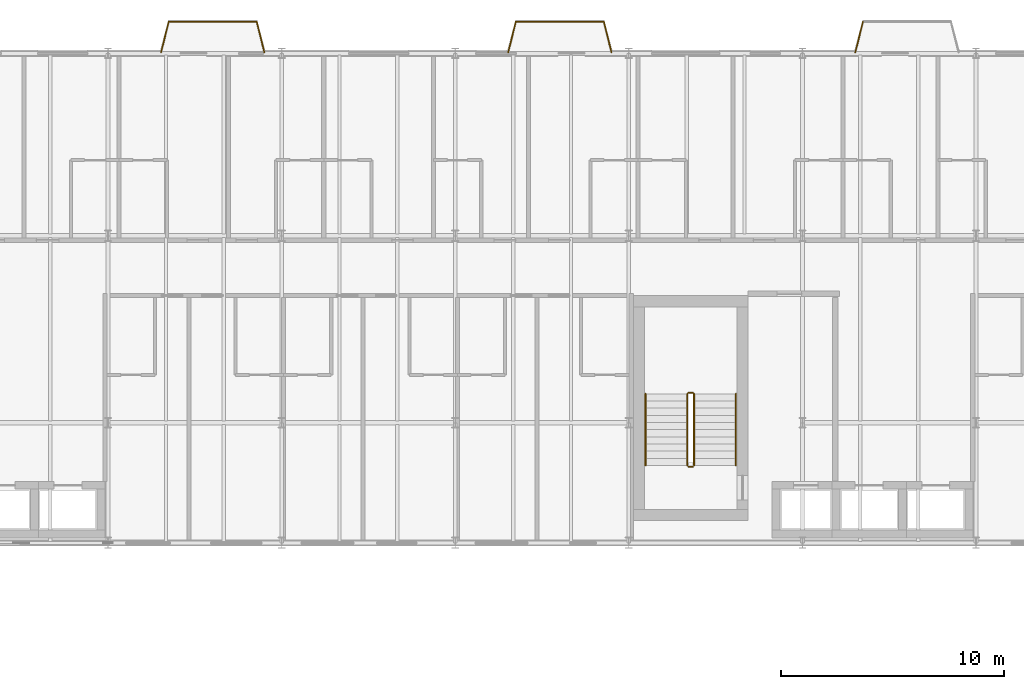
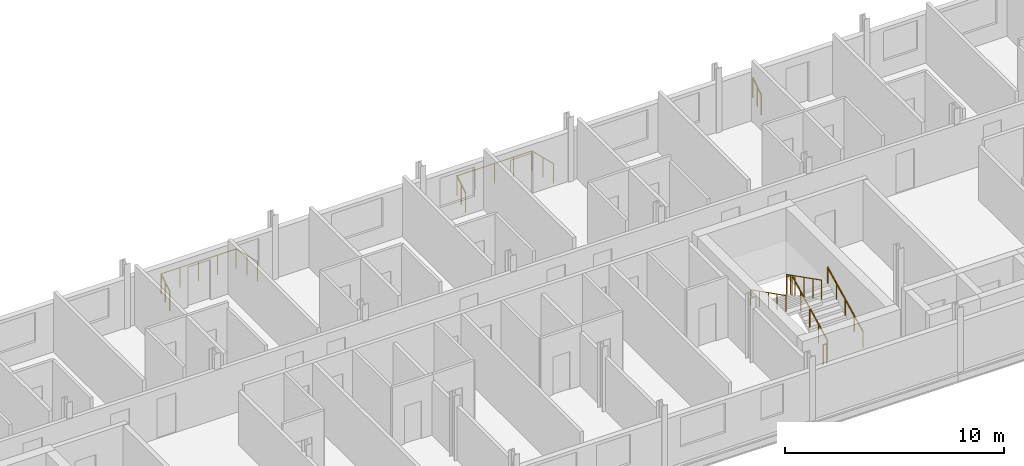
# One storey, part 33 of 34: 13 railings.
"""IFC4 building model written with IfcOpenShell, lengths in metres."""

from ifc_helpers import new_model, si_unit, direction, frame, origin, origin_2d, place, context, subcontext, project, spatial, circle, extrude, material, type_object, element, save


model = new_model("IFC4")

# Units and contexts
model_context = context("Model", 3, precision=1e-05, world=origin(), true_north=direction((0.0, 1.0)))
body_context = subcontext(model_context, "Body", "Model", "MODEL_VIEW")
ifc_project = project(units=[si_unit("LENGTHUNIT", "METRE"), si_unit("AREAUNIT", "SQUARE_METRE"), si_unit("VOLUMEUNIT", "CUBIC_METRE"), si_unit("PLANEANGLEUNIT", "RADIAN"), si_unit("MASSUNIT", "GRAM", prefix="KILO")], contexts=[model_context])

# Site, building, storey
site_placement = place(None, origin())
site = spatial("IfcSite", under=ifc_project, at=site_placement, CompositionType="ELEMENT")
building_placement = place(site_placement, origin())
building = spatial("IfcBuilding", under=site, at=building_placement, Name="Sefraquen Railside Congress Hotel", CompositionType="ELEMENT")
storey_placement = place(building_placement, frame((0.0, 0.0, 31.800048828125)))
storey = spatial("IfcBuildingStorey", under=building, at=storey_placement, Name="L07", CompositionType="ELEMENT", Elevation=31.800048828125)

# Railings
ifc_material = material(Name="Patinated wrought architectural bronze", Category="metal")
railing_type_1 = type_object("IfcRailingType", Name="TRL-BAL-110", PredefinedType="BALUSTRADE", material=ifc_material)
railing_1_placement = place(storey_placement, frame((43.179931640625, 118.050048828125, 0.0)))
element("IfcRailing", 1, at=railing_1_placement, inside=storey, type_object=railing_type_1, Name="Guest balcony Art Nouveau balustrade L07-02", PredefinedType="BALUSTRADE", context=body_context, shape_type="SweptSolid", body=[
    extrude(circle(Radius=0.02392578125, at=origin_2d()), frame((0.0, 0.0, 1.09619140625), z_axis=(0.240948040829, 0.970538016577, 0.0), x_axis=(-0.970538016577, 0.240948040829, 0.0)), (0.0, 0.0, 1.0), 1.411376953125),
    extrude(circle(Radius=0.02099609375, at=origin_2d()), origin(), (0.0, 0.0, 1.0), 1.072021484375),
    extrude(circle(Radius=0.02099609375, at=origin_2d()), frame((0.169921875, 0.68505859375, 0.0)), (0.0, 0.0, 1.0), 1.072021484375),
    extrude(circle(Radius=0.02099609375, at=origin_2d()), frame((0.340087890625, 1.369873046875, 0.0)), (0.0, 0.0, 1.0), 1.072021484375),
])
railing_2_placement = place(storey_placement, frame((43.52001953125, 119.419921875, 0.0)))
element("IfcRailing", 2, at=railing_2_placement, inside=storey, type_object=railing_type_1, Name="Guest balcony Art Nouveau balustrade L07-02", PredefinedType="BALUSTRADE", context=body_context, shape_type="SweptSolid", body=[
    extrude(circle(Radius=0.02392578125, at=origin_2d()), frame((0.0, 0.0, 1.09619140625), z_axis=(1.0, 0.0, 0.0), x_axis=(0.0, 1.0, 0.0)), (0.0, 0.0, 1.0), 3.9599609375),
    extrude(circle(Radius=0.02099609375, at=origin_2d()), origin(), (0.0, 0.0, 1.0), 1.072021484375),
    extrude(circle(Radius=0.02099609375, at=origin_2d()), frame((0.989990234375, 0.0, 0.0)), (0.0, 0.0, 1.0), 1.072021484375),
    extrude(circle(Radius=0.02099609375, at=origin_2d()), frame((1.97998046875, 0.0, 0.0)), (0.0, 0.0, 1.0), 1.072021484375),
    extrude(circle(Radius=0.02099609375, at=origin_2d()), frame((2.969970703125, 0.0, 0.0)), (0.0, 0.0, 1.0), 1.072021484375),
    extrude(circle(Radius=0.02099609375, at=origin_2d()), frame((3.9599609375, 0.0, 0.0)), (0.0, 0.0, 1.0), 1.072021484375),
])
railing_3_placement = place(storey_placement, frame((47.47998046875, 119.419921875, 0.0)))
element("IfcRailing", 3, at=railing_3_placement, inside=storey, type_object=railing_type_1, Name="Guest balcony Art Nouveau balustrade L07-02", PredefinedType="BALUSTRADE", context=body_context, shape_type="SweptSolid", body=[
    extrude(circle(Radius=0.02392578125, at=origin_2d()), frame((0.0, 0.0, 1.09619140625), z_axis=(0.240948040829, -0.970538016577, 0.0), x_axis=(0.970538016577, 0.240948040829, 0.0)), (0.0, 0.0, 1.0), 1.411376953125),
    extrude(circle(Radius=0.02099609375, at=origin_2d()), origin(), (0.0, 0.0, 1.0), 1.072021484375),
    extrude(circle(Radius=0.02099609375, at=origin_2d()), frame((0.169921875, -0.68505859375, 0.0)), (0.0, 0.0, 1.0), 1.072021484375),
    extrude(circle(Radius=0.02099609375, at=origin_2d()), frame((0.340087890625, -1.369873046875, 0.0)), (0.0, 0.0, 1.0), 1.072021484375),
])
railing_4_placement = place(storey_placement, frame((58.780029296875, 118.050048828125, 0.0)))
element("IfcRailing", 4, at=railing_4_placement, inside=storey, type_object=railing_type_1, Name="Guest balcony Art Nouveau balustrade L07-03", PredefinedType="BALUSTRADE", context=body_context, shape_type="SweptSolid", body=[
    extrude(circle(Radius=0.02392578125, at=origin_2d()), frame((0.0, 0.0, 1.09619140625), z_axis=(0.240948040829, 0.970538016577, 0.0), x_axis=(-0.970538016577, 0.240948040829, 0.0)), (0.0, 0.0, 1.0), 1.411376953125),
    extrude(circle(Radius=0.02099609375, at=origin_2d()), origin(), (0.0, 0.0, 1.0), 1.072021484375),
    extrude(circle(Radius=0.02099609375, at=origin_2d()), frame((0.169921875, 0.68505859375, 0.0)), (0.0, 0.0, 1.0), 1.072021484375),
    extrude(circle(Radius=0.02099609375, at=origin_2d()), frame((0.340087890625, 1.369873046875, 0.0)), (0.0, 0.0, 1.0), 1.072021484375),
])
railing_5_placement = place(storey_placement, frame((59.1201171875, 119.419921875, 0.0)))
element("IfcRailing", 5, at=railing_5_placement, inside=storey, type_object=railing_type_1, Name="Guest balcony Art Nouveau balustrade L07-03", PredefinedType="BALUSTRADE", context=body_context, shape_type="SweptSolid", body=[
    extrude(circle(Radius=0.02392578125, at=origin_2d()), frame((0.0, 0.0, 1.09619140625), z_axis=(1.0, 0.0, 0.0), x_axis=(0.0, 1.0, 0.0)), (0.0, 0.0, 1.0), 3.9599609375),
    extrude(circle(Radius=0.02099609375, at=origin_2d()), origin(), (0.0, 0.0, 1.0), 1.072021484375),
    extrude(circle(Radius=0.02099609375, at=origin_2d()), frame((0.989990234375, 0.0, 0.0)), (0.0, 0.0, 1.0), 1.072021484375),
    extrude(circle(Radius=0.02099609375, at=origin_2d()), frame((1.97998046875, 0.0, 0.0)), (0.0, 0.0, 1.0), 1.072021484375),
    extrude(circle(Radius=0.02099609375, at=origin_2d()), frame((2.969970703125, 0.0, 0.0)), (0.0, 0.0, 1.0), 1.072021484375),
    extrude(circle(Radius=0.02099609375, at=origin_2d()), frame((3.9599609375, 0.0, 0.0)), (0.0, 0.0, 1.0), 1.072021484375),
])
railing_6_placement = place(storey_placement, frame((63.080078125, 119.419921875, 0.0)))
element("IfcRailing", 6, at=railing_6_placement, inside=storey, type_object=railing_type_1, Name="Guest balcony Art Nouveau balustrade L07-03", PredefinedType="BALUSTRADE", context=body_context, shape_type="SweptSolid", body=[
    extrude(circle(Radius=0.02392578125, at=origin_2d()), frame((0.0, 0.0, 1.09619140625), z_axis=(0.240785102022, -0.970578453627, 0.0), x_axis=(0.970578453627, 0.240785102022, 0.0)), (0.0, 0.0, 1.0), 1.411376953125),
    extrude(circle(Radius=0.02099609375, at=origin_2d()), origin(), (0.0, 0.0, 1.0), 1.072021484375),
    extrude(circle(Radius=0.02099609375, at=origin_2d()), frame((0.169921875, -0.68505859375, 0.0)), (0.0, 0.0, 1.0), 1.072021484375),
    extrude(circle(Radius=0.02099609375, at=origin_2d()), frame((0.33984375, -1.369873046875, 0.0)), (0.0, 0.0, 1.0), 1.072021484375),
])
railing_7_placement = place(storey_placement, frame((74.3798828125, 118.050048828125, 0.0)))
element("IfcRailing", 7, at=railing_7_placement, inside=storey, type_object=railing_type_1, Name="Guest balcony Art Nouveau balustrade L07-04", PredefinedType="BALUSTRADE", context=body_context, shape_type="SweptSolid", body=[
    extrude(circle(Radius=0.02392578125, at=origin_2d()), frame((0.0, 0.0, 1.09619140625), z_axis=(0.240948040829, 0.970538016577, 0.0), x_axis=(-0.970538016577, 0.240948040829, 0.0)), (0.0, 0.0, 1.0), 1.411376953125),
    extrude(circle(Radius=0.02099609375, at=origin_2d()), origin(), (0.0, 0.0, 1.0), 1.072021484375),
    extrude(circle(Radius=0.02099609375, at=origin_2d()), frame((0.169921875, 0.68505859375, 0.0)), (0.0, 0.0, 1.0), 1.072021484375),
    extrude(circle(Radius=0.02099609375, at=origin_2d()), frame((0.340087890625, 1.369873046875, 0.0)), (0.0, 0.0, 1.0), 1.072021484375),
])
railing_8_placement = place(storey_placement, frame((67.1298828125, 99.47998046875, 0.16357421875)))
element("IfcRailing", 8, at=railing_8_placement, inside=storey, type_object=railing_type_1, Name="L07 ST-H03 stair guard 1", PredefinedType="BALUSTRADE", context=body_context, shape_type="SweptSolid", body=[
    extrude(circle(Radius=0.02392578125, at=origin_2d()), frame((0.0, 0.0, 1.076171875), z_axis=(0.0, 0.891474443924, 0.453070983215), x_axis=(-1.0, 0.0, 0.0)), (0.0, 0.0, 1.0), 3.612060546875),
    extrude(circle(Radius=0.02099609375, at=origin_2d()), origin(), (0.0, 0.0, 1.0), 1.052001953125),
    extrude(circle(Radius=0.02099609375, at=origin_2d()), frame((0.0, 0.804931640625, 0.4091796875)), (0.0, 0.0, 1.0), 1.052001953125),
    extrude(circle(Radius=0.02099609375, at=origin_2d()), frame((0.0, 1.60986328125, 0.818359375)), (0.0, 0.0, 1.0), 1.052001953125),
    extrude(circle(Radius=0.02099609375, at=origin_2d()), frame((0.0, 2.4150390625, 1.227294921875)), (0.0, 0.0, 1.0), 1.052001953125),
    extrude(circle(Radius=0.02099609375, at=origin_2d()), frame((0.0, 3.219970703125, 1.636474609375)), (0.0, 0.0, 1.0), 1.052001953125),
])
railing_9_placement = place(storey_placement, frame((67.080078125, 102.75, 1.800048828125)))
element("IfcRailing", 9, at=railing_9_placement, inside=storey, type_object=railing_type_1, Name="L07 ST-H03 stair guard 2", PredefinedType="BALUSTRADE", context=body_context, shape_type="SweptSolid", body=[
    extrude(circle(Radius=0.02392578125, at=origin_2d()), frame((0.0, 0.0, 1.076171875), z_axis=(-1.0, 0.0, 0.0), x_axis=(0.0, -1.0, 0.0)), (0.0, 0.0, 1.0), 0.2001953125),
    extrude(circle(Radius=0.02099609375, at=origin_2d()), origin(), (0.0, 0.0, 1.0), 1.052001953125),
    extrude(circle(Radius=0.02099609375, at=origin_2d()), frame((-0.2001953125, 0.0, 0.0)), (0.0, 0.0, 1.0), 1.052001953125),
])
railing_10_placement = place(storey_placement, frame((66.830078125, 102.699951171875, 1.963623046875)))
element("IfcRailing", 10, at=railing_10_placement, inside=storey, type_object=railing_type_1, Name="L07 ST-H03 stair guard 3", PredefinedType="BALUSTRADE", context=body_context, shape_type="SweptSolid", body=[
    extrude(circle(Radius=0.02392578125, at=origin_2d()), frame((0.0, 0.0, 1.076171875), z_axis=(0.0, -0.89150174374, 0.453017263367), x_axis=(1.0, 0.0, 0.0)), (0.0, 0.0, 1.0), 3.61181640625),
    extrude(circle(Radius=0.02099609375, at=origin_2d()), origin(), (0.0, 0.0, 1.0), 1.052001953125),
    extrude(circle(Radius=0.02099609375, at=origin_2d()), frame((0.0, -0.804931640625, 0.4091796875)), (0.0, 0.0, 1.0), 1.052001953125),
    extrude(circle(Radius=0.02099609375, at=origin_2d()), frame((0.0, -1.60986328125, 0.818115234375)), (0.0, 0.0, 1.0), 1.052001953125),
    extrude(circle(Radius=0.02099609375, at=origin_2d()), frame((0.0, -2.4150390625, 1.22705078125)), (0.0, 0.0, 1.0), 1.052001953125),
    extrude(circle(Radius=0.02099609375, at=origin_2d()), frame((0.0, -3.219970703125, 1.63623046875)), (0.0, 0.0, 1.0), 1.052001953125),
])
railing_11_placement = place(storey_placement, frame((67.080078125, 99.429931640625, 0.0)))
element("IfcRailing", 11, at=railing_11_placement, inside=storey, type_object=railing_type_1, Name="L07 ST-H03 stair guard 4", PredefinedType="BALUSTRADE", context=body_context, shape_type="SweptSolid", body=[
    extrude(circle(Radius=0.02392578125, at=origin_2d()), frame((0.0, 0.0, 1.076171875), z_axis=(-1.0, 0.0, 0.0), x_axis=(0.0, -1.0, 0.0)), (0.0, 0.0, 1.0), 0.2001953125),
    extrude(circle(Radius=0.02099609375, at=origin_2d()), origin(), (0.0, 0.0, 1.0), 1.052001953125),
    extrude(circle(Radius=0.02099609375, at=origin_2d()), frame((-0.2001953125, 0.0, 0.0)), (0.0, 0.0, 1.0), 1.052001953125),
])
railing_type_2 = type_object("IfcRailingType", Name="TRL-HR-090", PredefinedType="HANDRAIL", material=ifc_material)
railing_12_placement = place(storey_placement, frame((69.010009765625, 99.47998046875, 0.16357421875)))
element("IfcRailing", 12, at=railing_12_placement, inside=storey, type_object=railing_type_2, Name="L07 ST-H03 stair handrail 1", PredefinedType="HANDRAIL", context=body_context, shape_type="SweptSolid", body=[
    extrude(circle(Radius=0.02392578125, at=origin_2d()), frame((0.0, 0.0, 0.8759765625), z_axis=(0.0, 0.891474443924, 0.453070983215), x_axis=(-1.0, 0.0, 0.0)), (0.0, 0.0, 1.0), 3.612060546875),
    extrude(circle(Radius=0.02099609375, at=origin_2d()), origin(), (0.0, 0.0, 1.0), 0.851806640625),
    extrude(circle(Radius=0.02099609375, at=origin_2d()), frame((0.0, 0.804931640625, 0.4091796875)), (0.0, 0.0, 1.0), 0.851806640625),
    extrude(circle(Radius=0.02099609375, at=origin_2d()), frame((0.0, 1.60986328125, 0.818359375)), (0.0, 0.0, 1.0), 0.851806640625),
    extrude(circle(Radius=0.02099609375, at=origin_2d()), frame((0.0, 2.4150390625, 1.227294921875)), (0.0, 0.0, 1.0), 0.851806640625),
    extrude(circle(Radius=0.02099609375, at=origin_2d()), frame((0.0, 3.219970703125, 1.636474609375)), (0.0, 0.0, 1.0), 0.851806640625),
])
railing_13_placement = place(storey_placement, frame((64.949951171875, 102.699951171875, 1.963623046875)))
element("IfcRailing", 13, at=railing_13_placement, inside=storey, type_object=railing_type_2, Name="L07 ST-H03 stair handrail 2", PredefinedType="HANDRAIL", context=body_context, shape_type="SweptSolid", body=[
    extrude(circle(Radius=0.02392578125, at=origin_2d()), frame((0.0, 0.0, 0.8759765625), z_axis=(0.0, -0.89150174374, 0.453017263367), x_axis=(1.0, 0.0, 0.0)), (0.0, 0.0, 1.0), 3.61181640625),
    extrude(circle(Radius=0.02099609375, at=origin_2d()), origin(), (0.0, 0.0, 1.0), 0.851806640625),
    extrude(circle(Radius=0.02099609375, at=origin_2d()), frame((0.0, -0.804931640625, 0.4091796875)), (0.0, 0.0, 1.0), 0.851806640625),
    extrude(circle(Radius=0.02099609375, at=origin_2d()), frame((0.0, -1.60986328125, 0.818115234375)), (0.0, 0.0, 1.0), 0.851806640625),
    extrude(circle(Radius=0.02099609375, at=origin_2d()), frame((0.0, -2.4150390625, 1.22705078125)), (0.0, 0.0, 1.0), 0.851806640625),
    extrude(circle(Radius=0.02099609375, at=origin_2d()), frame((0.0, -3.219970703125, 1.63623046875)), (0.0, 0.0, 1.0), 0.851806640625),
])

save(model, "model.ifc")
